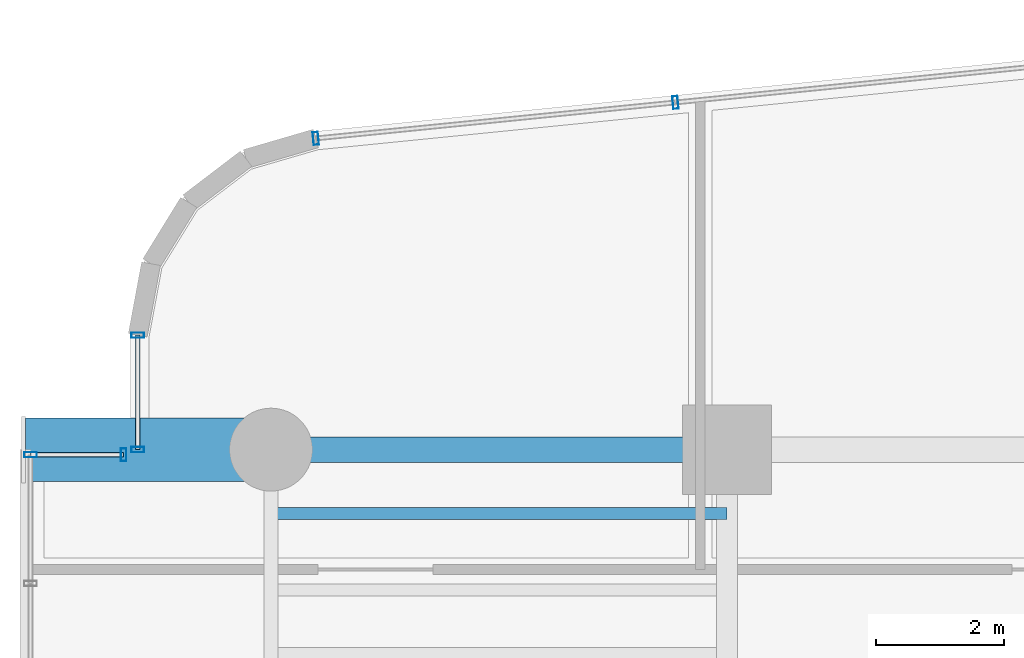
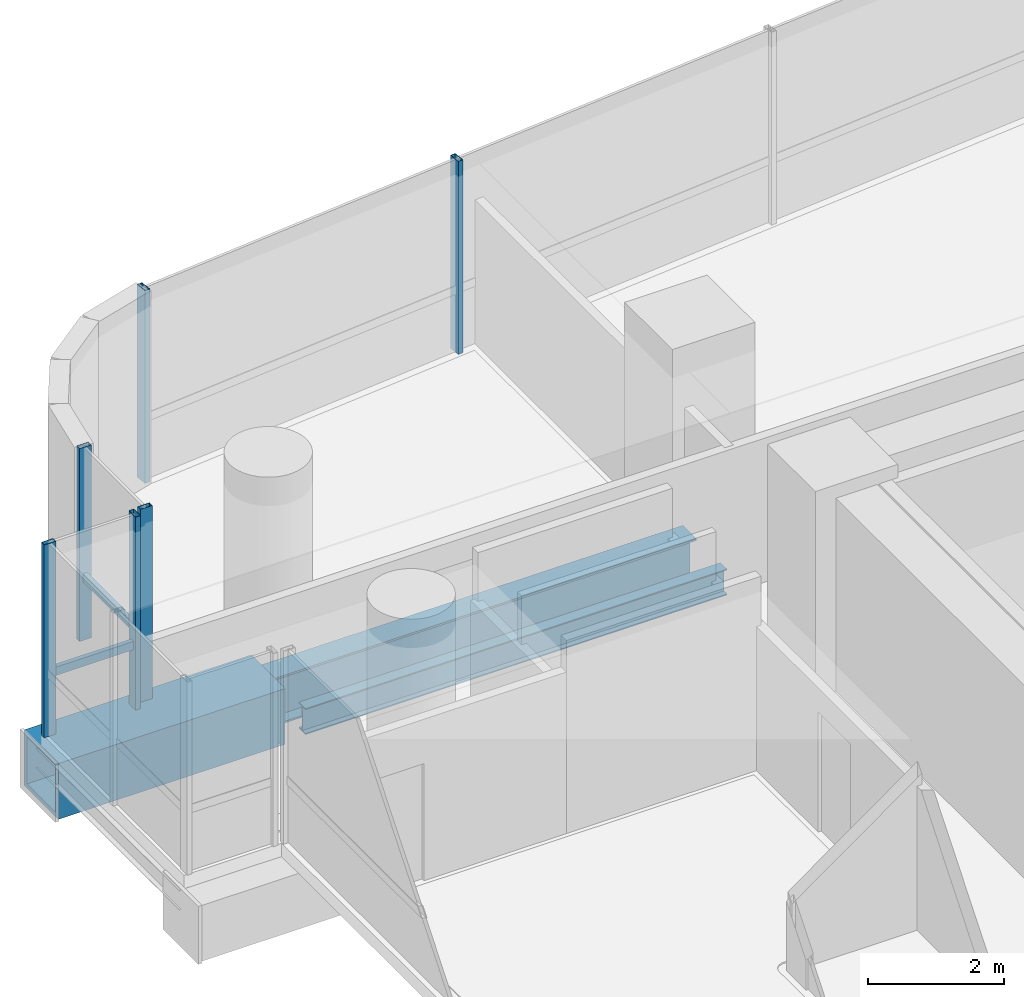
# One storey, part 19 of 41: 8 members, 3 beams, 4 elements without a shape of their own.
"""IFC4 building model written with IfcOpenShell, lengths in metres."""

from ifc_helpers import new_model, si_unit, direction, frame, origin, origin_2d, place, context, subcontext, project, spatial, hollow_rectangle, i_section, extrude, source, transform, mapped, material, material_profile, profile_set, type_object, element, aggregate, save


model = new_model("IFC4")

# Units and contexts
model_context = context("Model", 3, precision=1e-05, world=origin(), true_north=direction((0.0, 1.0)))
body_context = subcontext(model_context, "Body", "Model", "MODEL_VIEW")
ifc_project = project(units=[si_unit("LENGTHUNIT", "METRE"), si_unit("AREAUNIT", "SQUARE_METRE"), si_unit("VOLUMEUNIT", "CUBIC_METRE"), si_unit("PLANEANGLEUNIT", "RADIAN"), si_unit("MASSUNIT", "GRAM", prefix="KILO")], contexts=[model_context])

# Site, building, storey
site_placement = place(None, origin())
site = spatial("IfcSite", under=ifc_project, at=site_placement, CompositionType="ELEMENT")
building_placement = place(site_placement, origin())
building = spatial("IfcBuilding", under=site, at=building_placement, Name="Valdorenza Pilgrim Sanctuary Tower", CompositionType="ELEMENT")
storey_placement = place(building_placement, frame((0.0, 0.0, 88.89990234375)))
storey = spatial("IfcBuildingStorey", under=building, at=storey_placement, Name="L22", CompositionType="ELEMENT", Elevation=88.89990234375)

# Beams
ifc_material_1 = material(Name="Steel ASTM A992 Grade 50", Category="steel")
ifc_material_profile_1 = material_profile(ifc_material_1, i_section(OverallWidth=0.193115234375, OverallDepth=0.466064453125, WebThickness=0.011474609375, FlangeThickness=0.01904296875, at=origin_2d()), Name="W18X65")
ifc_profile_set_1 = profile_set([ifc_material_profile_1], Name="Steel ASTM A992 Grade 50")
beam_type_1 = type_object("IfcBeamType", Name="STR-BM-JST-W18A", PredefinedType="JOIST", material=ifc_profile_set_1)
shared_shape_1 = source(origin(), body_context, "Body", "SweptSolid", [
    extrude(i_section(OverallWidth=0.193115234375, OverallDepth=0.466064453125, WebThickness=0.011474609375, FlangeThickness=0.01904296875, at=origin_2d()), origin(), (0.0, 0.0, 1.0), 7.150146484375),
])
beam_1_placement = place(storey_placement, frame((-29.800048828125, 13.800048828125, -0.472900390625), z_axis=(1.0, 0.0, 0.0), x_axis=(0.0, 1.0, 0.0)))
element("IfcBeam", 1, at=beam_1_placement, inside=storey, type_object=beam_type_1, Name="L22 Composite Floor Joist JST-WA-26", PredefinedType="JOIST", context=body_context, shape_type="MappedRepresentation", body=[
    mapped(shared_shape_1, transform((0.0, 0.0, 0.0), x_axis=(1.0, 0.0, 0.0), y_axis=(0.0, 1.0, 0.0), z_axis=(0.0, 0.0, 1.0), scale=1.0)),
])
ifc_material_2 = material(Name="Steel ASTM A572 Grade 42", Category="steel")
ifc_material_profile_2 = material_profile(ifc_material_2, hollow_rectangle(XDim=1.0, YDim=1.0, WallThickness=0.080078125, at=origin_2d()), Name="BOX 1000x1000x80")
ifc_profile_set_2 = profile_set([ifc_material_profile_2], Name="Steel ASTM A572 Grade 42")
beam_type_2 = type_object("IfcBeamType", Name="STR-BM-PROW-CANT", PredefinedType="BEAM", material=ifc_profile_set_2)
shared_shape_2 = source(origin(), body_context, "Body", "SweptSolid", [
    extrude(hollow_rectangle(XDim=1.0, YDim=1.0, WallThickness=0.080078125, at=origin_2d()), origin(), (0.0, 0.0, 1.0), 3.849853515625),
])
beam_2_placement = place(storey_placement, frame((-29.800048828125, 14.800048828125, -0.739990234375), z_axis=(-1.0, 0.0, 0.0), x_axis=(0.0, -1.0, 0.0)))
element("IfcBeam", 2, at=beam_2_placement, inside=storey, type_object=beam_type_2, Name="L22 Glass Box Cantilever Beam BOX-WA-L22-CT-N", PredefinedType="BEAM", context=body_context, shape_type="MappedRepresentation", body=[
    mapped(shared_shape_2, transform((0.0, 0.0, 0.0), x_axis=(1.0, 0.0, 0.0), y_axis=(0.0, 1.0, 0.0), z_axis=(0.0, 0.0, 1.0), scale=1.0)),
])
ifc_material_profile_3 = material_profile(ifc_material_1, i_section(OverallWidth=0.39990234375, OverallDepth=0.862060546875, WebThickness=0.019775390625, FlangeThickness=0.032470703125, at=origin_2d()), Name="W33X221")
ifc_profile_set_3 = profile_set([ifc_material_profile_3], Name="Steel ASTM A992 Grade 50")
beam_type_3 = type_object("IfcBeamType", Name="STR-BM-GRD-W33", PredefinedType="BEAM", material=ifc_profile_set_3)
shared_shape_3 = source(origin(), body_context, "Body", "SweptSolid", [
    extrude(i_section(OverallWidth=0.39990234375, OverallDepth=0.862060546875, WebThickness=0.019775390625, FlangeThickness=0.032470703125, at=origin_2d()), origin(), (0.0, 0.0, 1.0), 7.150146484375),
])
beam_3_placement = place(storey_placement, frame((-29.800048828125, 14.800048828125, -0.6708984375), z_axis=(1.0, 0.0, 0.0), x_axis=(0.0, 1.0, 0.0)))
element("IfcBeam", 3, at=beam_3_placement, inside=storey, type_object=beam_type_3, Name="L22 Floor Girder WA-XW-N2", PredefinedType="BEAM", context=body_context, shape_type="MappedRepresentation", body=[
    mapped(shared_shape_3, transform((0.0, 0.0, 0.0), x_axis=(1.0, 0.0, 0.0), y_axis=(0.0, 1.0, 0.0), z_axis=(0.0, 0.0, 1.0), scale=1.0)),
])

# Curtain wall, member
ifc_material_3 = material(Name="Curtain-wall IGU glazing", Category="glass")
curtain_wall_type = type_object("IfcCurtainWallType", Name="CW-SYS-02", PredefinedType="NOTDEFINED", material=ifc_material_3)
curtain_wall_1_placement = place(storey_placement, origin())
curtain_wall_1 = element("IfcCurtainWall", 4, at=curtain_wall_1_placement, inside=storey, type_object=curtain_wall_type, Name="L22 Curtain Wall CW-L22-BOX-WA-L22-N", PredefinedType="NOTDEFINED")
ifc_material_4 = material(Name="Anodised aluminium AW-6060", Category="aluminium")
ifc_material_profile_4 = material_profile(ifc_material_4, hollow_rectangle(XDim=0.074951171875, YDim=0.14990234375, WallThickness=0.00390625, at=origin_2d()), Name="ALU-T 150x75x4")
ifc_profile_set_4 = profile_set([ifc_material_profile_4], Name="Anodised aluminium AW-6060")
member_type_1 = type_object("IfcMemberType", Name="CW-TRN-02", PredefinedType="USERDEFINED", material=ifc_profile_set_4)
shared_shape_4 = source(origin(), body_context, "Body", "SweptSolid", [
    extrude(hollow_rectangle(XDim=0.074951171875, YDim=0.14990234375, WallThickness=0.00390625, at=origin_2d()), origin(), (0.0, 0.0, 1.0), 1.4599609375),
])
member_1_placement = place(storey_placement, frame((-33.570068359375, 14.719970703125, 1.1201171875), z_axis=(1.0, 0.0, 0.0), x_axis=(0.0, 1.0, 0.0)))
member_1 = element("IfcMember", 5, at=member_1_placement, type_object=member_type_1, Name="CW-L22-BOX-WA-L22-N Transom 1", ObjectType="TRANSOM", PredefinedType="USERDEFINED", context=body_context, shape_type="MappedRepresentation", body=[
    mapped(shared_shape_4, transform((0.0, 0.0, 0.0), x_axis=(1.0, 0.0, 0.0), y_axis=(0.0, 1.0, 0.0), z_axis=(0.0, 0.0, 1.0), scale=1.0)),
])

# Curtain wall, members
curtain_wall_2_placement = place(storey_placement, origin())
curtain_wall_2 = element("IfcCurtainWall", 6, at=curtain_wall_2_placement, inside=storey, type_object=curtain_wall_type, Name="L22 Curtain Wall CW-L22-1-1S2", PredefinedType="NOTDEFINED")
ifc_material_profile_5 = material_profile(ifc_material_4, hollow_rectangle(XDim=0.0849609375, YDim=0.199951171875, WallThickness=0.0048828125, at=origin_2d()), Name="ALU-M 200x85x5")
ifc_profile_set_5 = profile_set([ifc_material_profile_5], Name="Anodised aluminium AW-6060")
member_type_2 = type_object("IfcMemberType", Name="CW-MUL-02", PredefinedType="MULLION", material=ifc_profile_set_5)
shared_shape_5 = source(origin(), body_context, "Body", "SweptSolid", [
    extrude(hollow_rectangle(XDim=0.0849609375, YDim=0.199951171875, WallThickness=0.0048828125, at=origin_2d()), origin(), (0.0, 0.0, 1.0), 3.460205078125),
])
member_2_placement = place(storey_placement, frame((-31.889892578125, 14.800048828125, 0.0), z_axis=(0.0, 0.0, 1.0), x_axis=(0.0, 1.0, 0.0)))
member_2 = element("IfcMember", 7, at=member_2_placement, type_object=member_type_2, Name="CW-L22-1-1S2 Mullion 1", PredefinedType="MULLION", context=body_context, shape_type="MappedRepresentation", body=[
    mapped(shared_shape_5, transform((0.0, 0.0, 0.0), x_axis=(1.0, 0.0, 0.0), y_axis=(0.0, 1.0, 0.0), z_axis=(0.0, 0.0, 1.0), scale=1.0)),
])
member_3_placement = place(storey_placement, frame((-31.889892578125, 16.593994140625, 0.0), z_axis=(0.0, 0.0, 1.0), x_axis=(0.0, 1.0, 0.0)))
member_3 = element("IfcMember", 8, at=member_3_placement, type_object=member_type_2, Name="CW-L22-1-1S2 Mullion 2", PredefinedType="MULLION", context=body_context, shape_type="MappedRepresentation", body=[
    mapped(shared_shape_5, transform((0.0, 0.0, 0.0), x_axis=(1.0, 0.0, 0.0), y_axis=(0.0, 1.0, 0.0), z_axis=(0.0, 0.0, 1.0), scale=1.0)),
])

curtain_wall_3_placement = place(storey_placement, origin())
curtain_wall_3 = element("IfcCurtainWall", 9, at=curtain_wall_3_placement, inside=storey, type_object=curtain_wall_type, Name="L22 Curtain Wall CW-L22-1-6", PredefinedType="NOTDEFINED")
member_4_placement = place(storey_placement, frame((-29.097412109375, 19.6796875, 0.0), z_axis=(0.0, 0.0, 1.0), x_axis=(0.995038220239, 0.099493418189, 0.0)))
member_4 = element("IfcMember", 10, at=member_4_placement, type_object=member_type_2, Name="CW-L22-1-6 Mullion 1", PredefinedType="MULLION", context=body_context, shape_type="MappedRepresentation", body=[
    mapped(shared_shape_5, transform((0.0, 0.0, 0.0), x_axis=(1.0, 0.0, 0.0), y_axis=(0.0, 1.0, 0.0), z_axis=(0.0, 0.0, 1.0), scale=1.0)),
])
member_5_placement = place(storey_placement, frame((-23.458984375, 20.24365234375, 0.0), z_axis=(0.0, 0.0, 1.0), x_axis=(0.995038220239, 0.099493418189, 0.0)))
member_5 = element("IfcMember", 11, at=member_5_placement, type_object=member_type_2, Name="CW-L22-1-6 Mullion 2", PredefinedType="MULLION", context=body_context, shape_type="MappedRepresentation", body=[
    mapped(shared_shape_5, transform((0.0, 0.0, 0.0), x_axis=(1.0, 0.0, 0.0), y_axis=(0.0, 1.0, 0.0), z_axis=(0.0, 0.0, 1.0), scale=1.0)),
])
aggregate(curtain_wall_3, [member_4, member_5])

# Curtain wall, member
curtain_wall_4_placement = place(storey_placement, origin())
curtain_wall_4 = element("IfcCurtainWall", 12, at=curtain_wall_4_placement, inside=storey, type_object=curtain_wall_type, Name="L22 Curtain Wall CW-L22-BOX-WA-L22-F", PredefinedType="NOTDEFINED")
member_6_placement = place(storey_placement, frame((-33.570068359375, 14.719970703125, 0.0), z_axis=(0.0, 0.0, 1.0), x_axis=(0.0, 1.0, 0.0)))
member_6 = element("IfcMember", 13, at=member_6_placement, type_object=member_type_2, Name="CW-L22-BOX-WA-L22-F Mullion 3", PredefinedType="MULLION", context=body_context, shape_type="MappedRepresentation", body=[
    mapped(shared_shape_5, transform((0.0, 0.0, 0.0), x_axis=(1.0, 0.0, 0.0), y_axis=(0.0, 1.0, 0.0), z_axis=(0.0, 0.0, 1.0), scale=1.0)),
])
aggregate(curtain_wall_4, [member_6])

# Member
member_7_placement = place(storey_placement, frame((-32.110107421875, 14.719970703125, 0.0), z_axis=(0.0, 0.0, 1.0), x_axis=(1.0, 0.0, 0.0)))
member_7 = element("IfcMember", 14, at=member_7_placement, type_object=member_type_2, Name="CW-L22-BOX-WA-L22-N Mullion 2", PredefinedType="MULLION", context=body_context, shape_type="MappedRepresentation", body=[
    mapped(shared_shape_5, transform((0.0, 0.0, 0.0), x_axis=(1.0, 0.0, 0.0), y_axis=(0.0, 1.0, 0.0), z_axis=(0.0, 0.0, 1.0), scale=1.0)),
])

aggregate(curtain_wall_1, [member_7, member_1])

shared_shape_6 = source(origin(), body_context, "Body", "SweptSolid", [
    extrude(hollow_rectangle(XDim=0.074951171875, YDim=0.14990234375, WallThickness=0.00390625, at=origin_2d()), origin(), (0.0, 0.0, 1.0), 1.7939453125),
])
member_8_placement = place(storey_placement, frame((-31.889892578125, 14.800048828125, 1.1201171875), z_axis=(0.0, 1.0, 0.0), x_axis=(-1.0, 0.0, 0.0)))
member_8 = element("IfcMember", 15, at=member_8_placement, type_object=member_type_1, Name="CW-L22-1-1S2 Transom 1", ObjectType="TRANSOM", PredefinedType="USERDEFINED", context=body_context, shape_type="MappedRepresentation", body=[
    mapped(shared_shape_6, transform((0.0, 0.0, 0.0), x_axis=(1.0, 0.0, 0.0), y_axis=(0.0, 1.0, 0.0), z_axis=(0.0, 0.0, 1.0), scale=1.0)),
])

aggregate(curtain_wall_2, [member_2, member_3, member_8])

save(model, "model.ifc")
